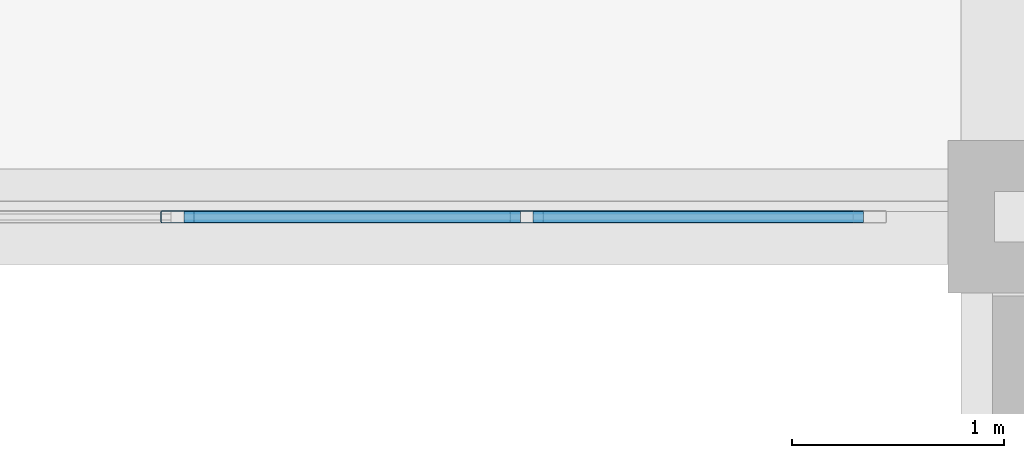
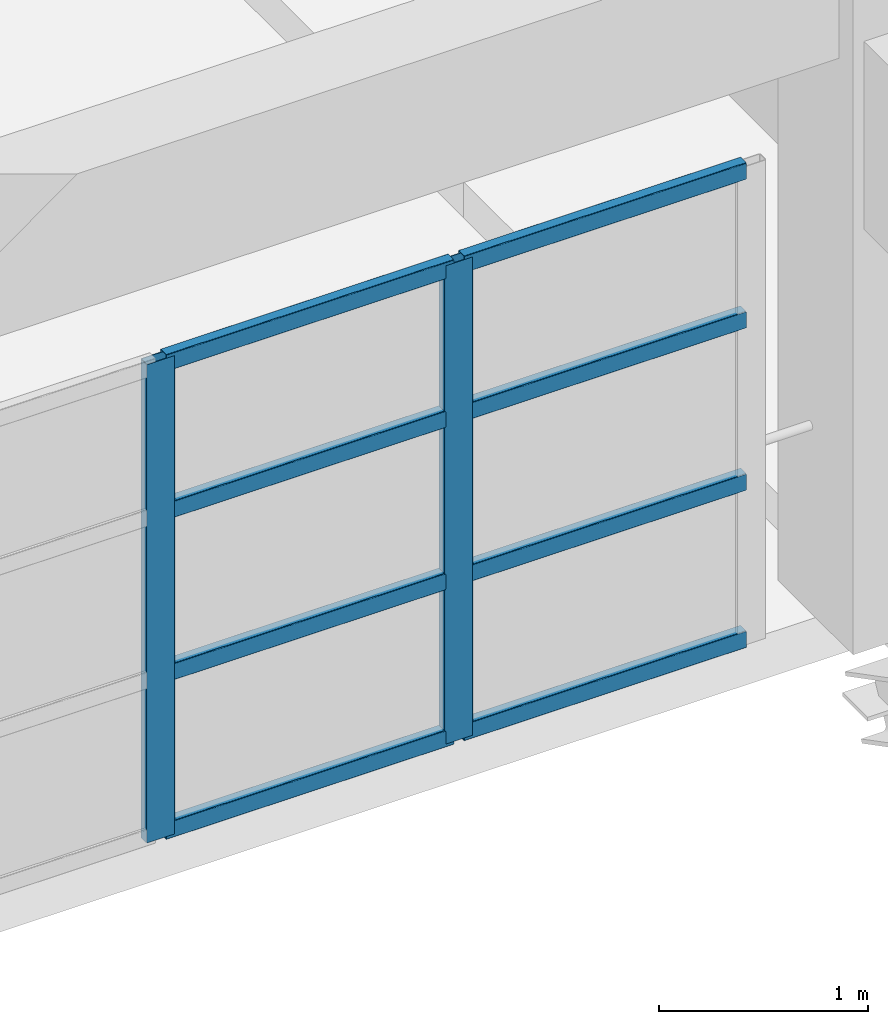
# One storey, part 16 of 101: 10 members, 1 element without a shape of its own.
"""IFC4 building model written with IfcOpenShell, lengths in metres."""

from ifc_helpers import new_model, si_unit, direction, frame, origin, origin_2d, place, context, subcontext, project, spatial, hollow_rectangle, extrude, material, material_profile, profile_set, type_object, element, aggregate, save


model = new_model("IFC4")

# Units and contexts
model_context = context("Model", 3, precision=1e-05, world=origin(), true_north=direction((0.0, 1.0)))
body_context = subcontext(model_context, "Body", "Model", "MODEL_VIEW")
ifc_project = project(units=[si_unit("LENGTHUNIT", "METRE"), si_unit("AREAUNIT", "SQUARE_METRE"), si_unit("VOLUMEUNIT", "CUBIC_METRE"), si_unit("PLANEANGLEUNIT", "RADIAN"), si_unit("MASSUNIT", "GRAM", prefix="KILO")], contexts=[model_context])

# Site, building, storey
site_placement = place(None, origin())
site = spatial("IfcSite", under=ifc_project, at=site_placement, CompositionType="ELEMENT")
building_placement = place(site_placement, origin())
building = spatial("IfcBuilding", under=site, at=building_placement, Name="Qasida Concert Hall", CompositionType="ELEMENT")
storey_placement = place(building_placement, frame((0.0, 0.0, 13.199951171875)))
storey = spatial("IfcBuildingStorey", under=building, at=storey_placement, Name="L03", CompositionType="ELEMENT", Elevation=13.199951171875)

# Curtain wall, members
ifc_material_1 = material(Name="Architectural bronze-anodized aluminium and low-E glass", Category="aluminium")
curtain_wall_type = type_object("IfcCurtainWallType", Name="CW-09", PredefinedType="NOTDEFINED", material=ifc_material_1)
curtain_wall_placement = place(storey_placement, origin())
curtain_wall = element("IfcCurtainWall", 1, at=curtain_wall_placement, inside=storey, type_object=curtain_wall_type, Name="L03 link bridge glazing 0208", PredefinedType="NOTDEFINED")
ifc_material_2 = material(Name="Architectural bronze-anodized aluminium EN AW-6063", Category="aluminium")
ifc_material_profile_1 = material_profile(ifc_material_2, hollow_rectangle(XDim=0.06005859375, YDim=0.159912109375, WallThickness=0.00390625, InnerFilletRadius=0.00390625, OuterFilletRadius=0.008056640625, at=origin_2d()), Name="CWM 160x60x4")
ifc_profile_set_1 = profile_set([ifc_material_profile_1], Name="Architectural bronze-anodized aluminium EN AW-6063")
member_type_1 = type_object("IfcMemberType", Name="MB-CWM-3", PredefinedType="MULLION", material=ifc_profile_set_1)
member_1_placement = place(storey_placement, frame((48.5, 30.0, 0.0), z_axis=(0.0, 0.0, 1.0), x_axis=(0.0, 1.0, 0.0)))
member_1 = element("IfcMember", 2, at=member_1_placement, type_object=member_type_1, Name="CW-09 mullion 3", PredefinedType="MULLION", context=body_context, shape_type="SweptSolid", body=[
    extrude(hollow_rectangle(XDim=0.06005859375, YDim=0.159912109375, WallThickness=0.00390625, InnerFilletRadius=0.00390625, OuterFilletRadius=0.008056640625, at=origin_2d()), origin(), (0.0, 0.0, 1.0), 2.800048828125),
])
member_2_placement = place(storey_placement, frame((50.14990234375, 30.0, 0.0), z_axis=(0.0, 0.0, 1.0), x_axis=(0.0, 1.0, 0.0)))
member_2 = element("IfcMember", 3, at=member_2_placement, type_object=member_type_1, Name="CW-09 mullion 4", PredefinedType="MULLION", context=body_context, shape_type="SweptSolid", body=[
    extrude(hollow_rectangle(XDim=0.06005859375, YDim=0.159912109375, WallThickness=0.00390625, InnerFilletRadius=0.00390625, OuterFilletRadius=0.008056640625, at=origin_2d()), origin(), (0.0, 0.0, 1.0), 2.800048828125),
])
ifc_material_profile_2 = material_profile(ifc_material_2, hollow_rectangle(XDim=0.06005859375, YDim=0.10009765625, WallThickness=0.00341796875, InnerFilletRadius=0.00341796875, OuterFilletRadius=0.007080078125, at=origin_2d()), Name="CWT 100x60x3.5")
ifc_profile_set_2 = profile_set([ifc_material_profile_2], Name="Architectural bronze-anodized aluminium EN AW-6063")
member_type_2 = type_object("IfcMemberType", Name="MB-CWT-3", PredefinedType="USERDEFINED", material=ifc_profile_set_2)
member_3_placement = place(storey_placement, frame((48.530029296875, 30.0, 0.030029296875), z_axis=(1.0, 0.0, 0.0), x_axis=(0.0, 1.0, 0.0)))
member_3 = element("IfcMember", 4, at=member_3_placement, type_object=member_type_2, Name="CW-09 transom 3.1", ObjectType="TRANSOM", PredefinedType="USERDEFINED", context=body_context, shape_type="SweptSolid", body=[
    extrude(hollow_rectangle(XDim=0.06005859375, YDim=0.10009765625, WallThickness=0.00341796875, InnerFilletRadius=0.00341796875, OuterFilletRadius=0.007080078125, at=origin_2d()), origin(), (0.0, 0.0, 1.0), 1.590087890625),
])
member_4_placement = place(storey_placement, frame((48.530029296875, 30.0, 0.949951171875), z_axis=(1.0, 0.0, 0.0), x_axis=(0.0, 1.0, 0.0)))
member_4 = element("IfcMember", 5, at=member_4_placement, type_object=member_type_2, Name="CW-09 transom 3.2", ObjectType="TRANSOM", PredefinedType="USERDEFINED", context=body_context, shape_type="SweptSolid", body=[
    extrude(hollow_rectangle(XDim=0.06005859375, YDim=0.10009765625, WallThickness=0.00341796875, InnerFilletRadius=0.00341796875, OuterFilletRadius=0.007080078125, at=origin_2d()), origin(), (0.0, 0.0, 1.0), 1.590087890625),
])
member_5_placement = place(storey_placement, frame((48.530029296875, 30.0, 1.900146484375), z_axis=(1.0, 0.0, 0.0), x_axis=(0.0, 1.0, 0.0)))
member_5 = element("IfcMember", 6, at=member_5_placement, type_object=member_type_2, Name="CW-09 transom 3.3", ObjectType="TRANSOM", PredefinedType="USERDEFINED", context=body_context, shape_type="SweptSolid", body=[
    extrude(hollow_rectangle(XDim=0.06005859375, YDim=0.10009765625, WallThickness=0.00341796875, InnerFilletRadius=0.00341796875, OuterFilletRadius=0.007080078125, at=origin_2d()), origin(), (0.0, 0.0, 1.0), 1.590087890625),
])
member_6_placement = place(storey_placement, frame((48.530029296875, 30.0, 2.77001953125), z_axis=(1.0, 0.0, 0.0), x_axis=(0.0, 1.0, 0.0)))
member_6 = element("IfcMember", 7, at=member_6_placement, type_object=member_type_2, Name="CW-09 transom 3.4", ObjectType="TRANSOM", PredefinedType="USERDEFINED", context=body_context, shape_type="SweptSolid", body=[
    extrude(hollow_rectangle(XDim=0.06005859375, YDim=0.10009765625, WallThickness=0.00341796875, InnerFilletRadius=0.00341796875, OuterFilletRadius=0.007080078125, at=origin_2d()), origin(), (0.0, 0.0, 1.0), 1.590087890625),
])
member_7_placement = place(storey_placement, frame((50.179931640625, 30.0, 0.030029296875), z_axis=(1.0, 0.0, 0.0), x_axis=(0.0, 1.0, 0.0)))
member_7 = element("IfcMember", 8, at=member_7_placement, type_object=member_type_2, Name="CW-09 transom 4.1", ObjectType="TRANSOM", PredefinedType="USERDEFINED", context=body_context, shape_type="SweptSolid", body=[
    extrude(hollow_rectangle(XDim=0.06005859375, YDim=0.10009765625, WallThickness=0.00341796875, InnerFilletRadius=0.00341796875, OuterFilletRadius=0.007080078125, at=origin_2d()), origin(), (0.0, 0.0, 1.0), 1.56005859375),
])
member_8_placement = place(storey_placement, frame((50.179931640625, 30.0, 0.949951171875), z_axis=(1.0, 0.0, 0.0), x_axis=(0.0, 1.0, 0.0)))
member_8 = element("IfcMember", 9, at=member_8_placement, type_object=member_type_2, Name="CW-09 transom 4.2", ObjectType="TRANSOM", PredefinedType="USERDEFINED", context=body_context, shape_type="SweptSolid", body=[
    extrude(hollow_rectangle(XDim=0.06005859375, YDim=0.10009765625, WallThickness=0.00341796875, InnerFilletRadius=0.00341796875, OuterFilletRadius=0.007080078125, at=origin_2d()), origin(), (0.0, 0.0, 1.0), 1.56005859375),
])
member_9_placement = place(storey_placement, frame((50.179931640625, 30.0, 1.900146484375), z_axis=(1.0, 0.0, 0.0), x_axis=(0.0, 1.0, 0.0)))
member_9 = element("IfcMember", 10, at=member_9_placement, type_object=member_type_2, Name="CW-09 transom 4.3", ObjectType="TRANSOM", PredefinedType="USERDEFINED", context=body_context, shape_type="SweptSolid", body=[
    extrude(hollow_rectangle(XDim=0.06005859375, YDim=0.10009765625, WallThickness=0.00341796875, InnerFilletRadius=0.00341796875, OuterFilletRadius=0.007080078125, at=origin_2d()), origin(), (0.0, 0.0, 1.0), 1.56005859375),
])
member_10_placement = place(storey_placement, frame((50.179931640625, 30.0, 2.77001953125), z_axis=(1.0, 0.0, 0.0), x_axis=(0.0, 1.0, 0.0)))
member_10 = element("IfcMember", 11, at=member_10_placement, type_object=member_type_2, Name="CW-09 transom 4.4", ObjectType="TRANSOM", PredefinedType="USERDEFINED", context=body_context, shape_type="SweptSolid", body=[
    extrude(hollow_rectangle(XDim=0.06005859375, YDim=0.10009765625, WallThickness=0.00341796875, InnerFilletRadius=0.00341796875, OuterFilletRadius=0.007080078125, at=origin_2d()), origin(), (0.0, 0.0, 1.0), 1.56005859375),
])
aggregate(curtain_wall, [member_1, member_2, member_3, member_4, member_5, member_6, member_7, member_8, member_9, member_10])

save(model, "model.ifc")
